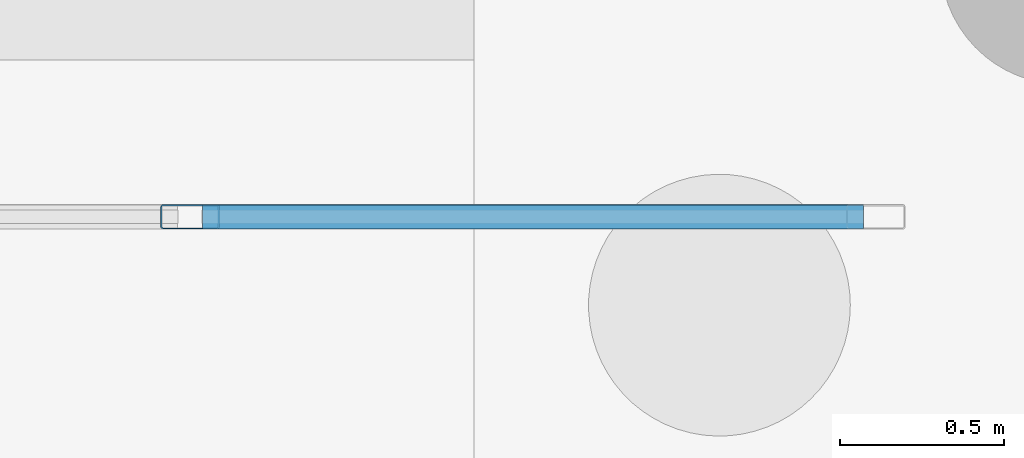
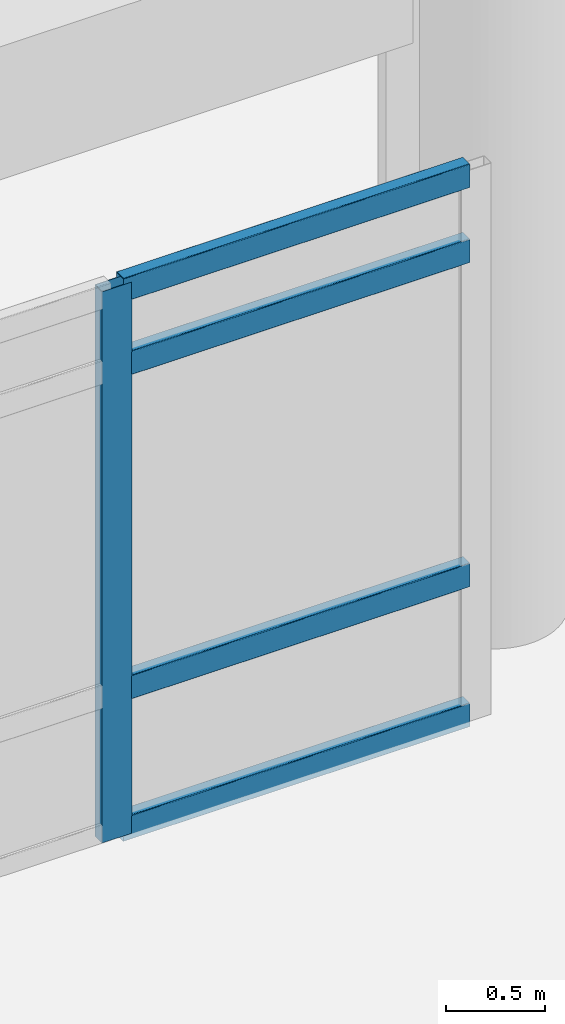
# One storey, part 132 of 196: 5 members, 1 element without a shape of its own.
"""IFC4 building model written with IfcOpenShell, lengths in metres."""

from ifc_helpers import new_model, si_unit, direction, frame, origin, origin_2d, place, context, subcontext, project, spatial, hollow_rectangle, extrude, material, layer, layer_set, material_profile, profile_set, type_object, element, aggregate, save


model = new_model("IFC4")

# Units and contexts
model_context = context("Model", 3, precision=1e-05, world=origin(), true_north=direction((0.0, 1.0)))
body_context = subcontext(model_context, "Body", "Model", "MODEL_VIEW")
ifc_project = project(units=[si_unit("LENGTHUNIT", "METRE"), si_unit("AREAUNIT", "SQUARE_METRE"), si_unit("VOLUMEUNIT", "CUBIC_METRE"), si_unit("PLANEANGLEUNIT", "RADIAN"), si_unit("MASSUNIT", "GRAM", prefix="KILO")], contexts=[model_context])

# Site, building, storey
site_placement = place(None, origin())
site = spatial("IfcSite", under=ifc_project, at=site_placement, CompositionType="ELEMENT")
building_placement = place(site_placement, origin())
building = spatial("IfcBuilding", under=site, at=building_placement, Name="Asteropetra Specialist Clinic", CompositionType="ELEMENT")
storey_placement = place(building_placement, origin())
storey = spatial("IfcBuildingStorey", under=building, at=storey_placement, Name="L00", CompositionType="ELEMENT", Elevation=0.0)

# Curtain wall, members
ifc_material_1 = material(Name="Aluminium and low-E glass", Category="aluminium")
ifc_layer = layer(ifc_material_1, 0.14990234375)
ifc_layer_set = layer_set([ifc_layer], Name="Aluminium and low-E glass")
curtain_wall_type = type_object("IfcCurtainWallType", Name="CW-SYS-11", PredefinedType="USERDEFINED", material=ifc_layer_set)
curtain_wall_placement = place(storey_placement, origin())
curtain_wall = element("IfcCurtainWall", 1, at=curtain_wall_placement, inside=storey, type_object=curtain_wall_type, Name="Curtain Wall CW-195", ObjectType="STICK GLAZED COLONNADE", PredefinedType="USERDEFINED")
ifc_material_2 = material(Name="Aluminium 6063-T6", Category="aluminium")
ifc_material_profile_1 = material_profile(ifc_material_2, hollow_rectangle(XDim=0.074951171875, YDim=0.179931640625, WallThickness=0.00390625, InnerFilletRadius=0.00390625, OuterFilletRadius=0.008056640625, at=origin_2d()), Name="MUL 180x75x4.0")
ifc_profile_set_1 = profile_set([ifc_material_profile_1], Name="Aluminium 6063-T6")
member_type_1 = type_object("IfcMemberType", Name="CWM-180x75", PredefinedType="MULLION", material=ifc_profile_set_1)
member_1_placement = place(storey_placement, frame((141.33251953125, 61.6201171875, 0.0), z_axis=(0.0, 0.0, 1.0), x_axis=(0.0, -1.0, 0.0)))
member_1 = element("IfcMember", 2, at=member_1_placement, type_object=member_type_1, Name="CW-195 mullion 2", PredefinedType="MULLION", context=body_context, shape_type="SweptSolid", body=[
    extrude(hollow_rectangle(XDim=0.074951171875, YDim=0.179931640625, WallThickness=0.00390625, InnerFilletRadius=0.00390625, OuterFilletRadius=0.008056640625, at=origin_2d()), origin(), (0.0, 0.0, 1.0), 3.39990234375),
])
ifc_material_3 = material(Name="Aluminium 6063-T6", Category="aluminium")
ifc_material_profile_2 = material_profile(ifc_material_3, hollow_rectangle(XDim=0.074951171875, YDim=0.14990234375, WallThickness=0.00390625, InnerFilletRadius=0.00390625, OuterFilletRadius=0.008056640625, at=origin_2d()), Name="TRN 150x75x4.0")
ifc_profile_set_2 = profile_set([ifc_material_profile_2], Name="Aluminium 6063-T6")
member_type_2 = type_object("IfcMemberType", Name="CWT-150x75", PredefinedType="USERDEFINED", material=ifc_profile_set_2)
member_2_placement = place(storey_placement, frame((143.389892578125, 61.6201171875, 0.03759765625), z_axis=(-1.0, 0.0, 0.0), x_axis=(0.0, -1.0, 0.0)))
member_2 = element("IfcMember", 3, at=member_2_placement, type_object=member_type_2, Name="CW-195 transom 1.1", ObjectType="TRANSOM", PredefinedType="USERDEFINED", context=body_context, shape_type="SweptSolid", body=[
    extrude(hollow_rectangle(XDim=0.074951171875, YDim=0.14990234375, WallThickness=0.00390625, InnerFilletRadius=0.00390625, OuterFilletRadius=0.008056640625, at=origin_2d()), origin(), (0.0, 0.0, 1.0), 2.019775390625),
])
member_3_placement = place(storey_placement, frame((143.389892578125, 61.6201171875, 0.89990234375), z_axis=(-1.0, 0.0, 0.0), x_axis=(0.0, -1.0, 0.0)))
member_3 = element("IfcMember", 4, at=member_3_placement, type_object=member_type_2, Name="CW-195 transom 1.2", ObjectType="TRANSOM", PredefinedType="USERDEFINED", context=body_context, shape_type="SweptSolid", body=[
    extrude(hollow_rectangle(XDim=0.074951171875, YDim=0.14990234375, WallThickness=0.00390625, InnerFilletRadius=0.00390625, OuterFilletRadius=0.008056640625, at=origin_2d()), origin(), (0.0, 0.0, 1.0), 2.019775390625),
])
member_4_placement = place(storey_placement, frame((143.389892578125, 61.6201171875, 2.89990234375), z_axis=(-1.0, 0.0, 0.0), x_axis=(0.0, -1.0, 0.0)))
member_4 = element("IfcMember", 5, at=member_4_placement, type_object=member_type_2, Name="CW-195 transom 1.3", ObjectType="TRANSOM", PredefinedType="USERDEFINED", context=body_context, shape_type="SweptSolid", body=[
    extrude(hollow_rectangle(XDim=0.074951171875, YDim=0.14990234375, WallThickness=0.00390625, InnerFilletRadius=0.00390625, OuterFilletRadius=0.008056640625, at=origin_2d()), origin(), (0.0, 0.0, 1.0), 2.019775390625),
])
member_5_placement = place(storey_placement, frame((143.389892578125, 61.6201171875, 3.362548828125), z_axis=(-1.0, 0.0, 0.0), x_axis=(0.0, -1.0, 0.0)))
member_5 = element("IfcMember", 6, at=member_5_placement, type_object=member_type_2, Name="CW-195 transom 1.4", ObjectType="TRANSOM", PredefinedType="USERDEFINED", context=body_context, shape_type="SweptSolid", body=[
    extrude(hollow_rectangle(XDim=0.074951171875, YDim=0.14990234375, WallThickness=0.00390625, InnerFilletRadius=0.00390625, OuterFilletRadius=0.008056640625, at=origin_2d()), origin(), (0.0, 0.0, 1.0), 2.019775390625),
])
aggregate(curtain_wall, [member_1, member_2, member_3, member_4, member_5])

save(model, "model.ifc")
